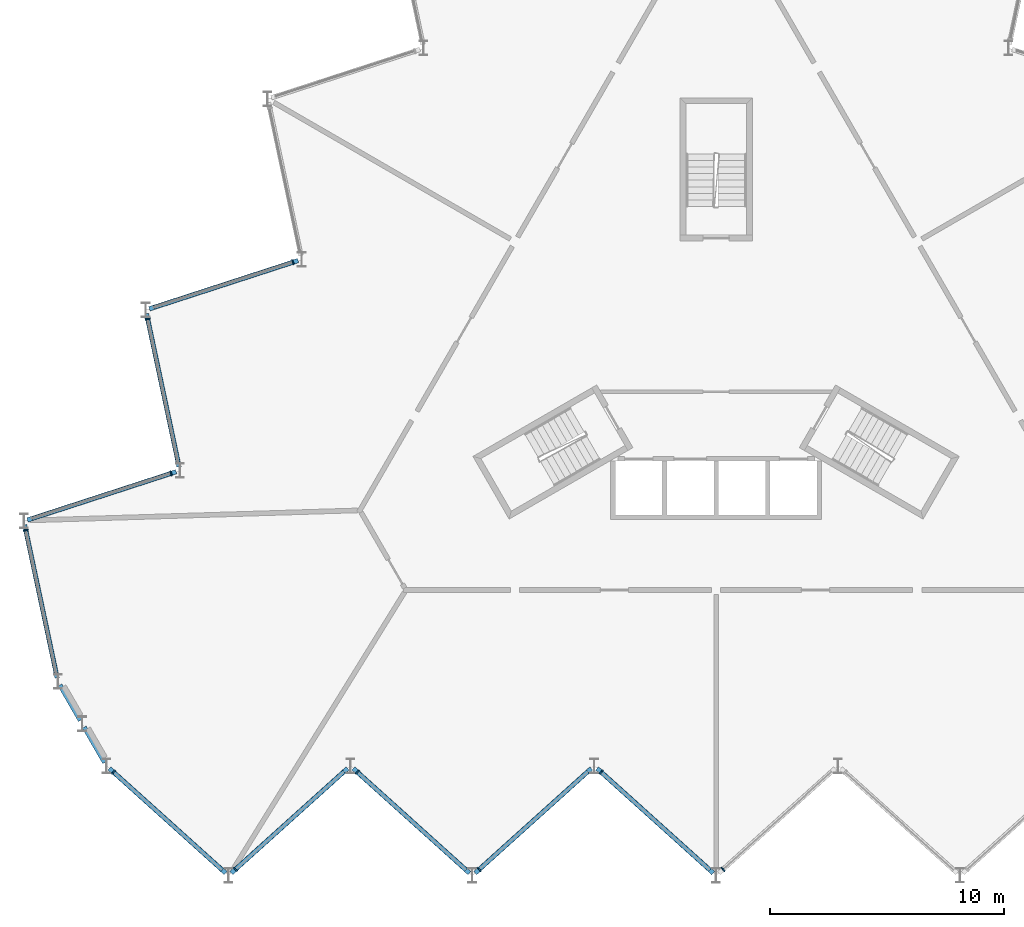
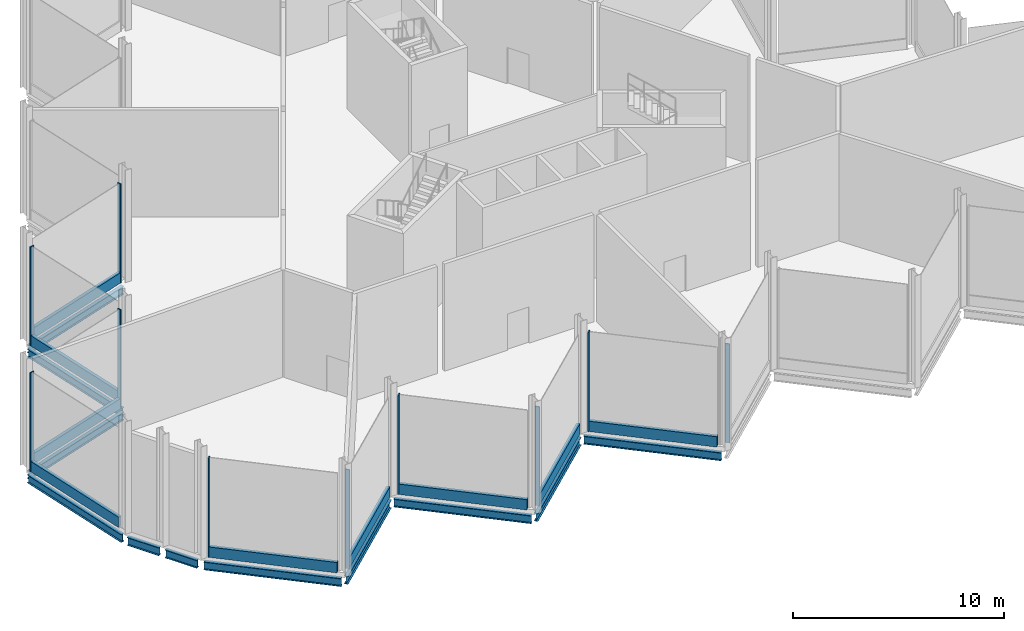
# One storey, part 4 of 12: 19 members, 11 beams, 10 elements without a shape of their own.
"""IFC4 building model written with IfcOpenShell, lengths in metres."""

from ifc_helpers import new_model, si_unit, direction, frame, origin, origin_2d, place, context, subcontext, project, spatial, rectangle, i_section, extrude, material, layer, layer_set, material_profile, profile_set, type_object, element, aggregate, save


model = new_model("IFC4")

# Units and contexts
model_context = context("Model", 3, precision=1e-05, world=origin(), true_north=direction((0.0, 1.0)))
body_context = subcontext(model_context, "Body", "Model", "MODEL_VIEW")
ifc_project = project(units=[si_unit("LENGTHUNIT", "METRE"), si_unit("AREAUNIT", "SQUARE_METRE"), si_unit("VOLUMEUNIT", "CUBIC_METRE"), si_unit("PLANEANGLEUNIT", "RADIAN"), si_unit("MASSUNIT", "GRAM", prefix="KILO")], contexts=[model_context])

# Site, building, storey
site_placement = place(None, origin())
site = spatial("IfcSite", under=ifc_project, at=site_placement, CompositionType="ELEMENT")
building_placement = place(site_placement, origin())
building = spatial("IfcBuilding", under=site, at=building_placement, Name="Cormorant Prow Tower", CompositionType="ELEMENT")
storey_placement = place(building_placement, frame((0.0, 0.0, 415.199951171875)))
storey = spatial("IfcBuildingStorey", under=building, at=storey_placement, Name="L94", CompositionType="ELEMENT", Elevation=415.199951171875)

# Curtain wall, member
ifc_material_1 = material(Name="Aluminium 6063-T6", Category="aluminium")
ifc_layer = layer(ifc_material_1, 0.219970703125)
ifc_layer_set = layer_set([ifc_layer], Name="Aluminium 6063-T6")
curtain_wall_type = type_object("IfcCurtainWallType", Name="Crown unitised curtain wall 220", PredefinedType="NOTDEFINED", material=ifc_layer_set)
curtain_wall_1_placement = place(storey_placement, origin())
curtain_wall_1 = element("IfcCurtainWall", 1, at=curtain_wall_1_placement, inside=storey, type_object=curtain_wall_type, Name="Crown curtain wall crown S00", PredefinedType="NOTDEFINED")
ifc_material_2 = material(Name="Aluminium 6063-T6", Category="aluminium")
ifc_material_profile_1 = material_profile(ifc_material_2, rectangle(XDim=0.219970703125, YDim=0.06005859375, at=origin_2d()), Name="Crown mullion 60x220")
ifc_profile_set_1 = profile_set([ifc_material_profile_1], Name="Aluminium 6063-T6")
member_type_1 = type_object("IfcMemberType", Name="Crown mullion 60x220", PredefinedType="MULLION", material=ifc_profile_set_1)
member_1_placement = place(storey_placement, frame((-25.705810546875, -17.670654296875, 0.0), z_axis=(0.0, 0.0, 1.0), x_axis=(0.669130603959, 0.743144827638, 0.0)))
member_1 = element("IfcMember", 2, at=member_1_placement, type_object=member_type_1, Name="Crown mullion crown S00", PredefinedType="MULLION", context=body_context, shape_type="SweptSolid", body=[
    extrude(rectangle(XDim=0.219970703125, YDim=0.06005859375, at=origin_2d()), origin(), (0.0, 0.0, 1.0), 5.73388671875),
])

curtain_wall_2_placement = place(storey_placement, origin())
curtain_wall_2 = element("IfcCurtainWall", 3, at=curtain_wall_2_placement, inside=storey, type_object=curtain_wall_type, Name="Crown curtain wall crown S01", PredefinedType="NOTDEFINED")
member_2_placement = place(storey_placement, frame((-20.505615234375, -21.82275390625, 0.0), z_axis=(0.0, 0.0, 1.0), x_axis=(-0.669130603959, 0.743144827638, 0.0)))
member_2 = element("IfcMember", 4, at=member_2_placement, type_object=member_type_1, Name="Crown mullion crown S01", PredefinedType="MULLION", context=body_context, shape_type="SweptSolid", body=[
    extrude(rectangle(XDim=0.219970703125, YDim=0.06005859375, at=origin_2d()), origin(), (0.0, 0.0, 1.0), 5.73388671875),
])

curtain_wall_3_placement = place(storey_placement, origin())
curtain_wall_3 = element("IfcCurtainWall", 5, at=curtain_wall_3_placement, inside=storey, type_object=curtain_wall_type, Name="Crown curtain wall crown S02", PredefinedType="NOTDEFINED")
member_3_placement = place(storey_placement, frame((-15.3056640625, -17.670654296875, 0.0), z_axis=(0.0, 0.0, 1.0), x_axis=(0.669130603959, 0.743144827638, 0.0)))
member_3 = element("IfcMember", 6, at=member_3_placement, type_object=member_type_1, Name="Crown mullion crown S02", PredefinedType="MULLION", context=body_context, shape_type="SweptSolid", body=[
    extrude(rectangle(XDim=0.219970703125, YDim=0.06005859375, at=origin_2d()), origin(), (0.0, 0.0, 1.0), 5.73388671875),
])

curtain_wall_4_placement = place(storey_placement, origin())
curtain_wall_4 = element("IfcCurtainWall", 7, at=curtain_wall_4_placement, inside=storey, type_object=curtain_wall_type, Name="Crown curtain wall crown S03", PredefinedType="NOTDEFINED")
member_4_placement = place(storey_placement, frame((-10.105712890625, -21.82275390625, 0.0), z_axis=(0.0, 0.0, 1.0), x_axis=(-0.669130603959, 0.743144827638, 0.0)))
member_4 = element("IfcMember", 8, at=member_4_placement, type_object=member_type_1, Name="Crown mullion crown S03", PredefinedType="MULLION", context=body_context, shape_type="SweptSolid", body=[
    extrude(rectangle(XDim=0.219970703125, YDim=0.06005859375, at=origin_2d()), origin(), (0.0, 0.0, 1.0), 5.73388671875),
])

curtain_wall_5_placement = place(storey_placement, origin())
curtain_wall_5 = element("IfcCurtainWall", 9, at=curtain_wall_5_placement, inside=storey, type_object=curtain_wall_type, Name="Crown curtain wall crown S04", PredefinedType="NOTDEFINED")
member_5_placement = place(storey_placement, frame((-4.90576171875, -17.670654296875, 0.0), z_axis=(0.0, 0.0, 1.0), x_axis=(0.669130603959, 0.743144827638, 0.0)))
member_5 = element("IfcMember", 10, at=member_5_placement, type_object=member_type_1, Name="Crown mullion crown S04", PredefinedType="MULLION", context=body_context, shape_type="SweptSolid", body=[
    extrude(rectangle(XDim=0.219970703125, YDim=0.06005859375, at=origin_2d()), origin(), (0.0, 0.0, 1.0), 5.73388671875),
])

curtain_wall_6_placement = place(storey_placement, origin())
curtain_wall_6 = element("IfcCurtainWall", 11, at=curtain_wall_6_placement, inside=storey, type_object=curtain_wall_type, Name="Crown curtain wall crown S05", PredefinedType="NOTDEFINED")
member_6_placement = place(storey_placement, frame((0.294189453125, -21.82275390625, 0.0), z_axis=(0.0, 0.0, 1.0), x_axis=(-0.669130603959, 0.743144827638, 0.0)))
member_6 = element("IfcMember", 12, at=member_6_placement, type_object=member_type_1, Name="Crown mullion crown S05", PredefinedType="MULLION", context=body_context, shape_type="SweptSolid", body=[
    extrude(rectangle(XDim=0.219970703125, YDim=0.06005859375, at=origin_2d()), origin(), (0.0, 0.0, 1.0), 5.73388671875),
])
aggregate(curtain_wall_6, [member_6])

curtain_wall_7_placement = place(storey_placement, origin())
curtain_wall_7 = element("IfcCurtainWall", 13, at=curtain_wall_7_placement, inside=storey, type_object=curtain_wall_type, Name="Crown curtain wall crown WNW06", PredefinedType="NOTDEFINED")
member_7_placement = place(storey_placement, frame((-18.050537109375, 4.0771484375, 0.0), z_axis=(0.0, 0.0, 1.0), x_axis=(0.309017066365, -0.951056492904, 0.0)))
member_7 = element("IfcMember", 14, at=member_7_placement, type_object=member_type_1, Name="Crown mullion crown WNW06", PredefinedType="MULLION", context=body_context, shape_type="SweptSolid", body=[
    extrude(rectangle(XDim=0.219970703125, YDim=0.06005859375, at=origin_2d()), origin(), (0.0, 0.0, 1.0), 5.73388671875),
])

curtain_wall_8_placement = place(storey_placement, origin())
curtain_wall_8 = element("IfcCurtainWall", 15, at=curtain_wall_8_placement, inside=storey, type_object=curtain_wall_type, Name="Crown curtain wall crown WNW07", PredefinedType="NOTDEFINED")
member_8_placement = place(storey_placement, frame((-24.246337890625, 1.64990234375, 0.0), z_axis=(0.0, 0.0, 1.0), x_axis=(0.978147615768, 0.207911620089, 0.0)))
member_8 = element("IfcMember", 16, at=member_8_placement, type_object=member_type_1, Name="Crown mullion crown WNW07", PredefinedType="MULLION", context=body_context, shape_type="SweptSolid", body=[
    extrude(rectangle(XDim=0.219970703125, YDim=0.06005859375, at=origin_2d()), origin(), (0.0, 0.0, 1.0), 5.73388671875),
])

curtain_wall_9_placement = place(storey_placement, origin())
curtain_wall_9 = element("IfcCurtainWall", 17, at=curtain_wall_9_placement, inside=storey, type_object=curtain_wall_type, Name="Crown curtain wall crown WNW08", PredefinedType="NOTDEFINED")
member_9_placement = place(storey_placement, frame((-23.25048828125, -4.929443359375, 0.0), z_axis=(0.0, 0.0, 1.0), x_axis=(0.309016937108, -0.951056534902, 0.0)))
member_9 = element("IfcMember", 18, at=member_9_placement, type_object=member_type_1, Name="Crown mullion crown WNW08", PredefinedType="MULLION", context=body_context, shape_type="SweptSolid", body=[
    extrude(rectangle(XDim=0.219970703125, YDim=0.06005859375, at=origin_2d()), origin(), (0.0, 0.0, 1.0), 5.73388671875),
])

curtain_wall_10_placement = place(storey_placement, origin())
curtain_wall_10 = element("IfcCurtainWall", 19, at=curtain_wall_10_placement, inside=storey, type_object=curtain_wall_type, Name="Crown curtain wall crown WNW09", PredefinedType="NOTDEFINED")
member_10_placement = place(storey_placement, frame((-29.4462890625, -7.356689453125, 0.0), z_axis=(0.0, 0.0, 1.0), x_axis=(0.978147615768, 0.207911620089, 0.0)))
member_10 = element("IfcMember", 20, at=member_10_placement, type_object=member_type_1, Name="Crown mullion crown WNW09", PredefinedType="MULLION", context=body_context, shape_type="SweptSolid", body=[
    extrude(rectangle(XDim=0.219970703125, YDim=0.06005859375, at=origin_2d()), origin(), (0.0, 0.0, 1.0), 5.73388671875),
])

# Beams
ifc_material_3 = material(Name="Structural steel ASTM A992 Gr 50", Category="steel")
ifc_material_profile_2 = material_profile(ifc_material_3, i_section(OverallWidth=0.19287109375, OverallDepth=0.466064453125, WebThickness=0.011474609375, FlangeThickness=0.01904296875, at=origin_2d()), Name="W18x65")
ifc_profile_set_2 = profile_set([ifc_material_profile_2], Name="Structural steel ASTM A992 Gr 50")
beam_type = type_object("IfcBeamType", Name="Crown ring beam W18x65", PredefinedType="SPANDREL", material=ifc_profile_set_2)
for number, where, z_axis, x_axis, name in (
    (21, (-25.878662109375, -17.514892578125, -0.532958984375), (0.743139440672, -0.669136586743, 0.0), (0.669136586743, 0.743139440672, 0.0), "Crown ring beam SB5 S00-S01 L94"),
    (22, (-20.6787109375, -21.978515625, -0.532958984375), (0.743139440672, 0.669136586743, 0.0), (-0.669136586743, 0.743139440672, 0.0), "Crown ring beam SB5 S01-S02 L94"),
):
    element("IfcBeam", number, at=place(storey_placement, frame(where, z_axis=z_axis, x_axis=x_axis)), inside=storey, type_object=beam_type, Name=name, PredefinedType="SPANDREL", context=body_context, shape_type="SweptSolid", body=[
        extrude(i_section(OverallWidth=0.19287109375, OverallDepth=0.466064453125, WebThickness=0.011474609375, FlangeThickness=0.01904296875, at=origin_2d()), origin(), (0.0, 0.0, 1.0), 6.670654296875),
    ])
beam_1_placement = place(storey_placement, frame((-15.478759765625, -17.514892578125, -0.532958984375), z_axis=(0.743155826906, -0.669118387832, 0.0), x_axis=(0.669118387832, 0.743155826906, 0.0)))
element("IfcBeam", 23, at=beam_1_placement, inside=storey, type_object=beam_type, Name="Crown ring beam SB5 S02-S03 L94", PredefinedType="SPANDREL", context=body_context, shape_type="SweptSolid", body=[
    extrude(i_section(OverallWidth=0.19287109375, OverallDepth=0.466064453125, WebThickness=0.011474609375, FlangeThickness=0.01904296875, at=origin_2d()), origin(), (0.0, 0.0, 1.0), 6.6708984375),
])
for number, where, z_axis, x_axis, name in (
    (24, (-10.278564453125, -21.978515625, -0.532958984375), (0.743139440672, 0.669136586743, 0.0), (-0.669136586743, 0.743139440672, 0.0), "Crown ring beam SB5 S03-S04 L94"),
    (25, (-5.07861328125, -17.514892578125, -0.532958984375), (0.743139440672, -0.669136586743, 0.0), (0.669136586743, 0.743139440672, 0.0), "Crown ring beam SB5 S04-S05 L94"),
    (26, (-17.8291015625, 4.149169921875, -0.532958984375), (-0.951049666898, -0.309038073858, 0.0), (0.309038073858, -0.951049666898, 0.0), "Crown ring beam SB5 WNW06-WNW07 L94"),
):
    element("IfcBeam", number, at=place(storey_placement, frame(where, z_axis=z_axis, x_axis=x_axis)), inside=storey, type_object=beam_type, Name=name, PredefinedType="SPANDREL", context=body_context, shape_type="SweptSolid", body=[
        extrude(i_section(OverallWidth=0.19287109375, OverallDepth=0.466064453125, WebThickness=0.011474609375, FlangeThickness=0.01904296875, at=origin_2d()), origin(), (0.0, 0.0, 1.0), 6.670654296875),
    ])
beam_2_placement = place(storey_placement, frame((-24.294677734375, 1.877685546875, -0.532958984375), z_axis=(0.207911717999, -0.978147594956, 0.0), x_axis=(0.978147594956, 0.207911717999, 0.0)))
element("IfcBeam", 27, at=beam_2_placement, inside=storey, type_object=beam_type, Name="Crown ring beam SB5 WNW07-WNW08 L94", PredefinedType="SPANDREL", context=body_context, shape_type="SweptSolid", body=[
    extrude(i_section(OverallWidth=0.19287109375, OverallDepth=0.466064453125, WebThickness=0.011474609375, FlangeThickness=0.01904296875, at=origin_2d()), origin(), (0.0, 0.0, 1.0), 6.6708984375),
])
for number, where, z_axis, x_axis, name in (
    (28, (-23.029052734375, -4.857666015625, -0.532958984375), (-0.95106042314, -0.309004970083, 0.0), (0.309004970083, -0.95106042314, 0.0), "Crown ring beam SB5 WNW08-WNW09 L94"),
    (29, (-29.49462890625, -7.129150390625, -0.532958984375), (0.207919161079, -0.978146012851, 0.0), (0.978146012851, 0.207919161079, 0.0), "Crown ring beam SB5 WNW09-WSW00 L94"),
):
    element("IfcBeam", number, at=place(storey_placement, frame(where, z_axis=z_axis, x_axis=x_axis)), inside=storey, type_object=beam_type, Name=name, PredefinedType="SPANDREL", context=body_context, shape_type="SweptSolid", body=[
        extrude(i_section(OverallWidth=0.19287109375, OverallDepth=0.466064453125, WebThickness=0.011474609375, FlangeThickness=0.01904296875, at=origin_2d()), origin(), (0.0, 0.0, 1.0), 6.670654296875),
    ])
for number, where, z_axis, x_axis, name in (
    (30, (-27.9921875, -13.955078125, -0.532958984375), (0.500061095026, -0.865990127681, 0.0), (0.865990127681, 0.500061095026, 0.0), "Crown ring beam SB5 WSW00-WSW01 L94"),
    (31, (-26.955322265625, -15.751220703125, -0.532958984375), (0.500061095026, -0.865990127681, 0.0), (0.865990127681, 0.500061095026, 0.0), "Crown ring beam SB5 WSW01-S00 L94"),
):
    element("IfcBeam", number, at=place(storey_placement, frame(where, z_axis=z_axis, x_axis=x_axis)), inside=storey, type_object=beam_type, Name=name, PredefinedType="SPANDREL", context=body_context, shape_type="SweptSolid", body=[
        extrude(i_section(OverallWidth=0.19287109375, OverallDepth=0.466064453125, WebThickness=0.011474609375, FlangeThickness=0.01904296875, at=origin_2d()), origin(), (0.0, 0.0, 1.0), 1.747314453125),
    ])

# Member
ifc_material_4 = material(Name="Terracotta", Category="masonry")
ifc_material_profile_3 = material_profile(ifc_material_4, rectangle(XDim=0.179931640625, YDim=0.60009765625, at=origin_2d()), Name="Crown terracotta spandrel rail 180x600")
ifc_profile_set_3 = profile_set([ifc_material_profile_3], Name="Terracotta")
member_type_2 = type_object("IfcMemberType", Name="Crown terracotta spandrel rail 180x600", PredefinedType="USERDEFINED", material=ifc_profile_set_3)
member_11_placement = place(storey_placement, frame((-25.683349609375, -17.690673828125, 0.300048828125), z_axis=(0.743121966202, -0.669155993285, 0.0), x_axis=(0.669155993285, 0.743121966202, 0.0)))
member_11 = element("IfcMember", 32, at=member_11_placement, type_object=member_type_2, Name="Crown spandrel rail crown S00", ObjectType="TRANSOM", PredefinedType="USERDEFINED", context=body_context, shape_type="SweptSolid", body=[
    extrude(rectangle(XDim=0.179931640625, YDim=0.60009765625, at=origin_2d()), origin(), (0.0, 0.0, 1.0), 6.205322265625),
])

aggregate(curtain_wall_1, [member_1, member_11])

member_12_placement = place(storey_placement, frame((-20.4833984375, -21.802734375, 0.300048828125), z_axis=(0.743141530577, 0.669134265699, 0.0), x_axis=(-0.669134265699, 0.743141530577, 0.0)))
member_12 = element("IfcMember", 33, at=member_12_placement, type_object=member_type_2, Name="Crown spandrel rail crown S01", ObjectType="TRANSOM", PredefinedType="USERDEFINED", context=body_context, shape_type="SweptSolid", body=[
    extrude(rectangle(XDim=0.179931640625, YDim=0.60009765625, at=origin_2d()), origin(), (0.0, 0.0, 1.0), 6.205078125),
])

aggregate(curtain_wall_2, [member_2, member_12])

member_13_placement = place(storey_placement, frame((-15.283447265625, -17.690673828125, 0.300048828125), z_axis=(0.743139582304, -0.669136429447, 0.0), x_axis=(0.669136429447, 0.743139582304, 0.0)))
member_13 = element("IfcMember", 34, at=member_13_placement, type_object=member_type_2, Name="Crown spandrel rail crown S02", ObjectType="TRANSOM", PredefinedType="USERDEFINED", context=body_context, shape_type="SweptSolid", body=[
    extrude(rectangle(XDim=0.179931640625, YDim=0.60009765625, at=origin_2d()), origin(), (0.0, 0.0, 1.0), 6.20556640625),
])

aggregate(curtain_wall_3, [member_3, member_13])

member_14_placement = place(storey_placement, frame((-10.08349609375, -21.802734375, 0.300048828125), z_axis=(0.743159145999, 0.669114701466, 0.0), x_axis=(-0.669114701466, 0.743159145999, 0.0)))
member_14 = element("IfcMember", 35, at=member_14_placement, type_object=member_type_2, Name="Crown spandrel rail crown S03", ObjectType="TRANSOM", PredefinedType="USERDEFINED", context=body_context, shape_type="SweptSolid", body=[
    extrude(rectangle(XDim=0.179931640625, YDim=0.60009765625, at=origin_2d()), origin(), (0.0, 0.0, 1.0), 6.205322265625),
])

aggregate(curtain_wall_4, [member_4, member_14])

member_15_placement = place(storey_placement, frame((-4.88330078125, -17.690673828125, 0.300048828125), z_axis=(0.743121966202, -0.669155993285, 0.0), x_axis=(0.669155993285, 0.743121966202, 0.0)))
member_15 = element("IfcMember", 36, at=member_15_placement, type_object=member_type_2, Name="Crown spandrel rail crown S04", ObjectType="TRANSOM", PredefinedType="USERDEFINED", context=body_context, shape_type="SweptSolid", body=[
    extrude(rectangle(XDim=0.179931640625, YDim=0.60009765625, at=origin_2d()), origin(), (0.0, 0.0, 1.0), 6.205322265625),
])

aggregate(curtain_wall_5, [member_5, member_15])

member_16_placement = place(storey_placement, frame((-18.078857421875, 4.06787109375, 0.300048828125), z_axis=(-0.951059797983, -0.309006894194, 0.0), x_axis=(0.309006894194, -0.951059797983, 0.0)))
member_16 = element("IfcMember", 37, at=member_16_placement, type_object=member_type_2, Name="Crown spandrel rail crown WNW06", ObjectType="TRANSOM", PredefinedType="USERDEFINED", context=body_context, shape_type="SweptSolid", body=[
    extrude(rectangle(XDim=0.179931640625, YDim=0.60009765625, at=origin_2d()), origin(), (0.0, 0.0, 1.0), 6.205322265625),
])

aggregate(curtain_wall_7, [member_7, member_16])

member_17_placement = place(storey_placement, frame((-24.239990234375, 1.62060546875, 0.300048828125), z_axis=(0.207889811544, -0.978152251061, 0.0), x_axis=(0.978152251061, 0.207889811544, 0.0)))
member_17 = element("IfcMember", 38, at=member_17_placement, type_object=member_type_2, Name="Crown spandrel rail crown WNW07", ObjectType="TRANSOM", PredefinedType="USERDEFINED", context=body_context, shape_type="SweptSolid", body=[
    extrude(rectangle(XDim=0.179931640625, YDim=0.60009765625, at=origin_2d()), origin(), (0.0, 0.0, 1.0), 6.205322265625),
])

aggregate(curtain_wall_8, [member_8, member_17])

member_18_placement = place(storey_placement, frame((-23.279052734375, -4.938720703125, 0.300048828125), z_axis=(-0.951056041011, -0.309018457145, 0.0), x_axis=(0.309018457145, -0.951056041011, 0.0)))
member_18 = element("IfcMember", 39, at=member_18_placement, type_object=member_type_2, Name="Crown spandrel rail crown WNW08", ObjectType="TRANSOM", PredefinedType="USERDEFINED", context=body_context, shape_type="SweptSolid", body=[
    extrude(rectangle(XDim=0.179931640625, YDim=0.60009765625, at=origin_2d()), origin(), (0.0, 0.0, 1.0), 6.205078125),
])

aggregate(curtain_wall_9, [member_9, member_18])

member_19_placement = place(storey_placement, frame((-29.43994140625, -7.385986328125, 0.300048828125), z_axis=(0.207889811544, -0.978152251061, 0.0), x_axis=(0.978152251061, 0.207889811544, 0.0)))
member_19 = element("IfcMember", 40, at=member_19_placement, type_object=member_type_2, Name="Crown spandrel rail crown WNW09", ObjectType="TRANSOM", PredefinedType="USERDEFINED", context=body_context, shape_type="SweptSolid", body=[
    extrude(rectangle(XDim=0.179931640625, YDim=0.60009765625, at=origin_2d()), origin(), (0.0, 0.0, 1.0), 6.205322265625),
])

aggregate(curtain_wall_10, [member_10, member_19])

save(model, "model.ifc")
